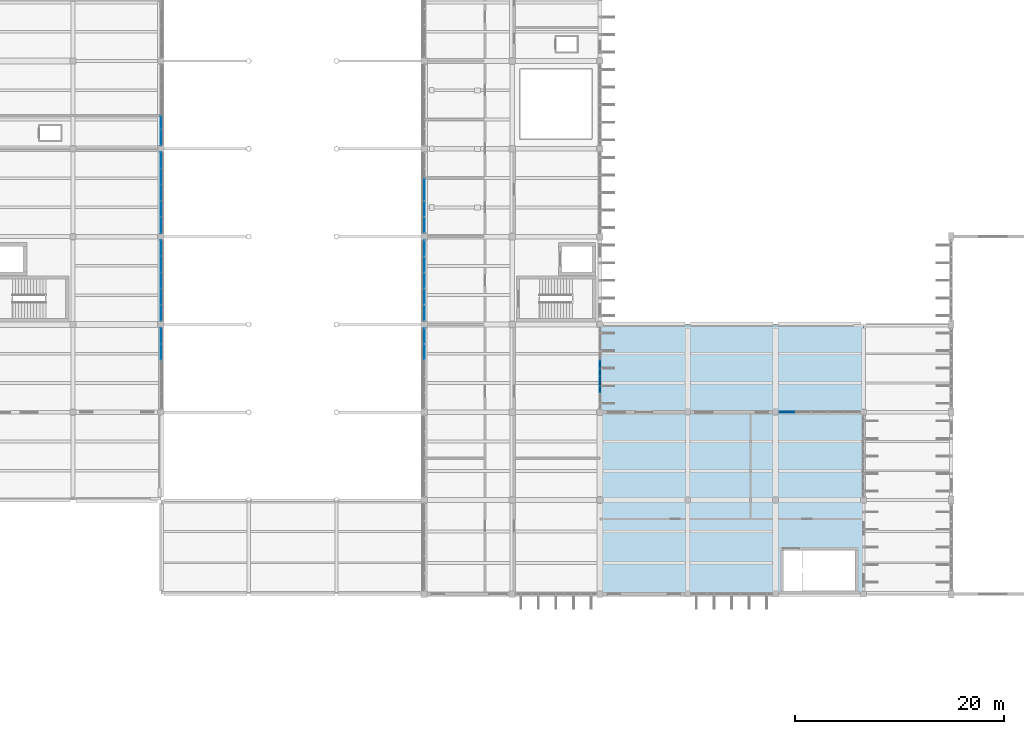
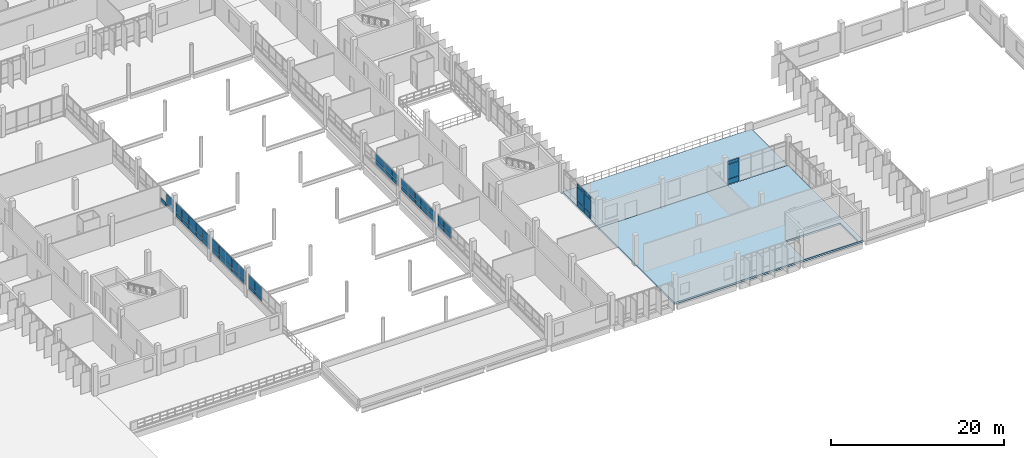
# One storey, part 97 of 130: 56 plates, 2 slabs, 1 opening, 9 elements without a shape of their own.
"""IFC4 building model written with IfcOpenShell, lengths in metres."""

from ifc_helpers import new_model, si_unit, direction, frame, origin, origin_2d, place, context, subcontext, project, spatial, polyline, rectangle, outline, extrude, material, layer, layer_set, type_object, element, aggregate, save


model = new_model("IFC4")

# Units and contexts
model_context = context("Model", 3, precision=1e-05, world=origin(), true_north=direction((0.0, 1.0)))
body_context = subcontext(model_context, "Body", "Model", "MODEL_VIEW")
ifc_project = project(units=[si_unit("LENGTHUNIT", "METRE"), si_unit("AREAUNIT", "SQUARE_METRE"), si_unit("VOLUMEUNIT", "CUBIC_METRE"), si_unit("PLANEANGLEUNIT", "RADIAN"), si_unit("MASSUNIT", "GRAM", prefix="KILO")], contexts=[model_context])

# Site, building, storey
site_placement = place(None, origin())
site = spatial("IfcSite", under=ifc_project, at=site_placement, CompositionType="ELEMENT")
building_placement = place(site_placement, origin())
building = spatial("IfcBuilding", under=site, at=building_placement, Name="Vireocrest Preparatory School", CompositionType="ELEMENT")
storey_placement = place(building_placement, frame((0.0, 0.0, 9.0)))
storey = spatial("IfcBuildingStorey", under=building, at=storey_placement, Name="L02", CompositionType="ELEMENT", Elevation=9.0)

# Curtain wall, plates
ifc_material_1 = material(Name="Thermally broken aluminium EN AW-6063-T6", Category="aluminium")
ifc_layer_1 = layer(ifc_material_1, 0.179931640625)
ifc_layer_set_1 = layer_set([ifc_layer_1], Name="Thermally broken aluminium EN AW-6063-T6")
curtain_wall_type_1 = type_object("IfcCurtainWallType", Name="Library Reading Bay Glazing 7600x4200", PredefinedType="USERDEFINED", material=ifc_layer_set_1)
curtain_wall_1_placement = place(storey_placement, origin())
curtain_wall_1 = element("IfcCurtainWall", 1, at=curtain_wall_1_placement, inside=storey, type_object=curtain_wall_type_1, Name="Curtain Wall CW16 CW_L02_CW16_1262_0354_090", ObjectType="CURTAIN WALL", PredefinedType="USERDEFINED")
ifc_material_2 = material(Name="Insulated triple low-e tempered safety glass", Category="glass")
ifc_layer_2 = layer(ifc_material_2, 0.074951171875)
ifc_layer_set_2 = layer_set([ifc_layer_2], Name="Insulated triple low-e tempered safety glass")
plate_type_1 = type_object("IfcPlateType", Name="Acoustic Triple-Glazed Lab Curtain Panel 75", PredefinedType="CURTAIN_PANEL", material=ifc_layer_set_2)
plate_1_placement = place(storey_placement, frame((127.087890625, 35.39990234375, 0.88232421875), z_axis=(0.0, 0.0, 1.0), x_axis=(1.0, 0.0, 0.0)))
plate_1 = element("IfcPlate", 2, at=plate_1_placement, type_object=plate_type_1, Name="CW Panel GL2 CW_L02_CW16_1262_0354_090-1-2", PredefinedType="CURTAIN_PANEL", context=body_context, shape_type="SweptSolid", body=[
    extrude(rectangle(XDim=1.490966796875, YDim=0.074951171875, at=origin_2d()), origin(), (0.0, 0.0, 1.0), 2.014892578125),
])
plate_2_placement = place(storey_placement, frame((127.087890625, 35.39990234375, 2.96240234375), z_axis=(0.0, 0.0, 1.0), x_axis=(1.0, 0.0, 0.0)))
plate_2 = element("IfcPlate", 3, at=plate_2_placement, type_object=plate_type_1, Name="CW Panel GL2 CW_L02_CW16_1262_0354_090-1-3", PredefinedType="CURTAIN_PANEL", context=body_context, shape_type="SweptSolid", body=[
    extrude(rectangle(XDim=1.490966796875, YDim=0.074951171875, at=origin_2d()), origin(), (0.0, 0.0, 1.0), 0.409912109375),
])

ifc_layer_3 = layer(ifc_material_1, 0.179931640625)
ifc_layer_set_3 = layer_set([ifc_layer_3], Name="Thermally broken aluminium EN AW-6063-T6")
curtain_wall_type_2 = type_object("IfcCurtainWallType", Name="Teaching Fin Curtain Wall 8400x4200", PredefinedType="USERDEFINED", material=ifc_layer_set_3)
curtain_wall_2_placement = place(storey_placement, origin())
curtain_wall_2 = element("IfcCurtainWall", 4, at=curtain_wall_2_placement, inside=storey, type_object=curtain_wall_type_2, Name="Curtain Wall CW03 CW_L02_CW03_1092_0357_090", ObjectType="CURTAIN WALL", PredefinedType="USERDEFINED")
plate_3_placement = place(storey_placement, frame((109.199951171875, 38.053955078125, 0.882568359375), z_axis=(0.0, 0.0, 1.0), x_axis=(0.0, 1.0, 0.0)))
plate_3 = element("IfcPlate", 5, at=plate_3_placement, type_object=plate_type_1, Name="CW Panel GL2 CW_L02_CW03_1092_0357_090-2-2", PredefinedType="CURTAIN_PANEL", context=body_context, shape_type="SweptSolid", body=[
    extrude(rectangle(XDim=1.48095703125, YDim=0.074951171875, at=origin_2d()), origin(), (0.0, 0.0, 1.0), 1.875),
])
plate_4_placement = place(storey_placement, frame((109.199951171875, 38.053955078125, 2.82275390625), z_axis=(0.0, 0.0, 1.0), x_axis=(0.0, 1.0, 0.0)))
plate_4 = element("IfcPlate", 6, at=plate_4_placement, type_object=plate_type_1, Name="CW Panel GL2 CW_L02_CW03_1092_0357_090-2-3", PredefinedType="CURTAIN_PANEL", context=body_context, shape_type="SweptSolid", body=[
    extrude(rectangle(XDim=1.48095703125, YDim=0.074951171875, at=origin_2d()), origin(), (0.0, 0.0, 1.0), 0.409912109375),
])
plate_5_placement = place(storey_placement, frame((109.199951171875, 39.60009765625, 0.882568359375), z_axis=(0.0, 0.0, 1.0), x_axis=(0.0, 1.0, 0.0)))
plate_5 = element("IfcPlate", 7, at=plate_5_placement, type_object=plate_type_1, Name="CW Panel GL2 CW_L02_CW03_1092_0357_090-3-2", PredefinedType="CURTAIN_PANEL", context=body_context, shape_type="SweptSolid", body=[
    extrude(rectangle(XDim=1.48095703125, YDim=0.074951171875, at=origin_2d()), origin(), (0.0, 0.0, 1.0), 1.875),
])
plate_6_placement = place(storey_placement, frame((109.199951171875, 39.60009765625, 2.82275390625), z_axis=(0.0, 0.0, 1.0), x_axis=(0.0, 1.0, 0.0)))
plate_6 = element("IfcPlate", 8, at=plate_6_placement, type_object=plate_type_1, Name="CW Panel GL2 CW_L02_CW03_1092_0357_090-3-3", PredefinedType="CURTAIN_PANEL", context=body_context, shape_type="SweptSolid", body=[
    extrude(rectangle(XDim=1.48095703125, YDim=0.074951171875, at=origin_2d()), origin(), (0.0, 0.0, 1.0), 0.409912109375),
])

# Plate
ifc_material_3 = material(Name="Painted white aluminium cladding EN AW-6063-T6", Category="aluminium")
ifc_layer_4 = layer(ifc_material_3, 0.114990234375)
ifc_layer_set_4 = layer_set([ifc_layer_4], Name="Painted white aluminium cladding EN AW-6063-T6")
plate_type_2 = type_object("IfcPlateType", Name="Insulated White Spandrel Curtain Panel 115", PredefinedType="CURTAIN_PANEL", material=ifc_layer_set_4)
plate_7_placement = place(storey_placement, frame((127.087890625, 35.39990234375, 0.12744140625), z_axis=(0.0, 0.0, 1.0), x_axis=(1.0, 0.0, 0.0)))
plate_7 = element("IfcPlate", 9, at=plate_7_placement, type_object=plate_type_2, Name="CW Panel SP2 CW_L02_CW16_1262_0354_090-1-1", PredefinedType="CURTAIN_PANEL", context=body_context, shape_type="SweptSolid", body=[
    extrude(rectangle(XDim=1.490966796875, YDim=0.114990234375, at=origin_2d()), origin(), (0.0, 0.0, 1.0), 0.68994140625),
])

aggregate(curtain_wall_1, [plate_7, plate_1, plate_2])

plate_8_placement = place(storey_placement, frame((109.199951171875, 38.053955078125, 0.12744140625), z_axis=(0.0, 0.0, 1.0), x_axis=(0.0, 1.0, 0.0)))
plate_8 = element("IfcPlate", 10, at=plate_8_placement, type_object=plate_type_2, Name="CW Panel SP2 CW_L02_CW03_1092_0357_090-2-1", PredefinedType="CURTAIN_PANEL", context=body_context, shape_type="SweptSolid", body=[
    extrude(rectangle(XDim=1.48095703125, YDim=0.114990234375, at=origin_2d()), origin(), (0.0, 0.0, 1.0), 0.68994140625),
])

plate_9_placement = place(storey_placement, frame((109.199951171875, 39.60009765625, 0.12744140625), z_axis=(0.0, 0.0, 1.0), x_axis=(0.0, 1.0, 0.0)))
plate_9 = element("IfcPlate", 11, at=plate_9_placement, type_object=plate_type_2, Name="CW Panel SP2 CW_L02_CW03_1092_0357_090-3-1", PredefinedType="CURTAIN_PANEL", context=body_context, shape_type="SweptSolid", body=[
    extrude(rectangle(XDim=1.48095703125, YDim=0.114990234375, at=origin_2d()), origin(), (0.0, 0.0, 1.0), 0.68994140625),
])

aggregate(curtain_wall_2, [plate_8, plate_3, plate_4, plate_9, plate_5, plate_6])

# Slab
ifc_material_4 = material(Name="Concrete 40 MPa", Category="concrete")
ifc_layer_5 = layer(ifc_material_4, 0.320068359375)
ifc_layer_set_5 = layer_set([ifc_layer_5], Name="Concrete 40 MPa")
slab_type_1 = type_object("IfcSlabType", Name="Outdoor Play Deck and Terrace Structural Slab 320", PredefinedType="FLOOR", material=ifc_layer_set_5)
slab_1_placement = place(storey_placement, frame((0.0, 0.0, -0.320068359375)))
element("IfcSlab", 12, at=slab_1_placement, inside=storey, type_object=slab_type_1, Name="Slab L02_EAST_TERRACE", PredefinedType="FLOOR", context=body_context, shape_type="SweptSolid", body=[
    extrude(outline(polyline([(109.199951171875, 35.39990234375), (134.39990234375, 35.39990234375), (134.39990234375, 43.800048828125), (109.199951171875, 43.800048828125), (109.199951171875, 35.39990234375)])), origin(), (0.0, 0.0, 1.0), 0.320068359375),
])

# Slab, opening
ifc_layer_6 = layer(ifc_material_4, 0.260009765625)
ifc_layer_set_6 = layer_set([ifc_layer_6], Name="Concrete 40 MPa")
slab_type_2 = type_object("IfcSlabType", Name="Science Laboratory Low-Vibration RC Slab 260", PredefinedType="FLOOR", material=ifc_layer_set_6)
slab_2_placement = place(storey_placement, frame((0.0, 0.0, -0.260009765625)))
slab_2 = element("IfcSlab", 13, at=slab_2_placement, inside=storey, type_object=slab_type_2, Name="Slab L02_EAST_STUDIO", PredefinedType="FLOOR", context=body_context, shape_type="SweptSolid", body=[
    extrude(outline(polyline([(109.199951171875, 18.0), (134.39990234375, 18.0), (134.39990234375, 35.39990234375), (109.199951171875, 35.39990234375), (109.199951171875, 18.0)])), origin(), (0.0, 0.0, 1.0), 0.260009765625),
])
opening_placement = place(slab_2_placement, frame((0.0, 0.0, -0.010009765625)))
element("IfcOpeningElement", 14, at=opening_placement, cuts=slab_2, Name="Slab Opening SLAB_L02_EAST_STUDIO-1", PredefinedType="OPENING", context=body_context, shape_type="SweptSolid", body=[
    extrude(outline(polyline([(126.60009765625, 18.14990234375), (133.800048828125, 18.14990234375), (133.800048828125, 22.35009765625), (126.60009765625, 22.35009765625), (126.60009765625, 18.14990234375)])), origin(), (0.0, 0.0, 1.0), 0.280029296875),
])

# Curtain wall, plates
ifc_layer_7 = layer(ifc_material_1, 0.179931640625)
ifc_layer_set_7 = layer_set([ifc_layer_7], Name="Thermally broken aluminium EN AW-6063-T6")
curtain_wall_type_3 = type_object("IfcCurtainWallType", Name="Court Banded Curtain Wall 8400x3000", PredefinedType="USERDEFINED", material=ifc_layer_set_7)
curtain_wall_3_placement = place(storey_placement, origin())
curtain_wall_3 = element("IfcCurtainWall", 15, at=curtain_wall_3_placement, inside=storey, type_object=curtain_wall_type_3, Name="Curtain Wall CW02 CW_L02_CW02_0924_0357_102", ObjectType="CURTAIN WALL", PredefinedType="USERDEFINED")
ifc_layer_8 = layer(ifc_material_2, 0.06005859375)
ifc_layer_set_8 = layer_set([ifc_layer_8], Name="Insulated triple low-e tempered safety glass")
plate_type_3 = type_object("IfcPlateType", Name="Triple-Glazed Vision Curtain Panel 60", PredefinedType="CURTAIN_PANEL", material=ifc_layer_set_8)
plate_10_placement = place(storey_placement, frame((92.39990234375, 41.14599609375, 1.277587890625), z_axis=(0.0, 0.0, 1.0), x_axis=(0.0, 1.0, 0.0)))
plate_10 = element("IfcPlate", 16, at=plate_10_placement, type_object=plate_type_3, Name="CW Panel GL1 CW_L02_CW02_0924_0357_102-4-1", PredefinedType="CURTAIN_PANEL", context=body_context, shape_type="SweptSolid", body=[
    extrude(rectangle(XDim=1.48095703125, YDim=0.06005859375, at=origin_2d()), origin(), (0.0, 0.0, 1.0), 0.5400390625),
])
plate_11_placement = place(storey_placement, frame((92.39990234375, 41.14599609375, 1.882568359375), z_axis=(0.0, 0.0, 1.0), x_axis=(0.0, 1.0, 0.0)))
plate_11 = element("IfcPlate", 17, at=plate_11_placement, type_object=plate_type_3, Name="CW Panel GL1 CW_L02_CW02_0924_0357_102-4-2", PredefinedType="CURTAIN_PANEL", context=body_context, shape_type="SweptSolid", body=[
    extrude(rectangle(XDim=1.48095703125, YDim=0.06005859375, at=origin_2d()), origin(), (0.0, 0.0, 1.0), 1.0),
])
plate_12_placement = place(storey_placement, frame((92.39990234375, 42.69189453125, 1.277587890625), z_axis=(0.0, 0.0, 1.0), x_axis=(0.0, 1.0, 0.0)))
plate_12 = element("IfcPlate", 18, at=plate_12_placement, type_object=plate_type_3, Name="CW Panel GL1 CW_L02_CW02_0924_0357_102-5-1", PredefinedType="CURTAIN_PANEL", context=body_context, shape_type="SweptSolid", body=[
    extrude(rectangle(XDim=1.48095703125, YDim=0.06005859375, at=origin_2d()), origin(), (0.0, 0.0, 1.0), 0.5400390625),
])
plate_13_placement = place(storey_placement, frame((92.39990234375, 42.69189453125, 1.882568359375), z_axis=(0.0, 0.0, 1.0), x_axis=(0.0, 1.0, 0.0)))
plate_13 = element("IfcPlate", 19, at=plate_13_placement, type_object=plate_type_3, Name="CW Panel GL1 CW_L02_CW02_0924_0357_102-5-2", PredefinedType="CURTAIN_PANEL", context=body_context, shape_type="SweptSolid", body=[
    extrude(rectangle(XDim=1.48095703125, YDim=0.06005859375, at=origin_2d()), origin(), (0.0, 0.0, 1.0), 1.0),
])
aggregate(curtain_wall_3, [plate_10, plate_11, plate_12, plate_13])

curtain_wall_4_placement = place(storey_placement, origin())
curtain_wall_4 = element("IfcCurtainWall", 20, at=curtain_wall_4_placement, inside=storey, type_object=curtain_wall_type_3, Name="Curtain Wall CW02 CW_L02_CW02_0924_0441_102", ObjectType="CURTAIN WALL", PredefinedType="USERDEFINED")
plate_14_placement = place(storey_placement, frame((92.39990234375, 44.907958984375, 1.277587890625), z_axis=(0.0, 0.0, 1.0), x_axis=(0.0, 1.0, 0.0)))
plate_14 = element("IfcPlate", 21, at=plate_14_placement, type_object=plate_type_3, Name="CW Panel GL1 CW_L02_CW02_0924_0441_102-1-1", PredefinedType="CURTAIN_PANEL", context=body_context, shape_type="SweptSolid", body=[
    extrude(rectangle(XDim=1.48095703125, YDim=0.06005859375, at=origin_2d()), origin(), (0.0, 0.0, 1.0), 0.5400390625),
])
plate_15_placement = place(storey_placement, frame((92.39990234375, 44.907958984375, 1.88232421875), z_axis=(0.0, 0.0, 1.0), x_axis=(0.0, 1.0, 0.0)))
plate_15 = element("IfcPlate", 22, at=plate_15_placement, type_object=plate_type_3, Name="CW Panel GL1 CW_L02_CW02_0924_0441_102-1-2", PredefinedType="CURTAIN_PANEL", context=body_context, shape_type="SweptSolid", body=[
    extrude(rectangle(XDim=1.48095703125, YDim=0.06005859375, at=origin_2d()), origin(), (0.0, 0.0, 1.0), 0.949951171875),
])
plate_16_placement = place(storey_placement, frame((92.39990234375, 46.4541015625, 1.277587890625), z_axis=(0.0, 0.0, 1.0), x_axis=(0.0, 1.0, 0.0)))
plate_16 = element("IfcPlate", 23, at=plate_16_placement, type_object=plate_type_3, Name="CW Panel GL1 CW_L02_CW02_0924_0441_102-2-1", PredefinedType="CURTAIN_PANEL", context=body_context, shape_type="SweptSolid", body=[
    extrude(rectangle(XDim=1.48095703125, YDim=0.06005859375, at=origin_2d()), origin(), (0.0, 0.0, 1.0), 0.5400390625),
])
plate_17_placement = place(storey_placement, frame((92.39990234375, 46.4541015625, 1.88232421875), z_axis=(0.0, 0.0, 1.0), x_axis=(0.0, 1.0, 0.0)))
plate_17 = element("IfcPlate", 24, at=plate_17_placement, type_object=plate_type_3, Name="CW Panel GL1 CW_L02_CW02_0924_0441_102-2-2", PredefinedType="CURTAIN_PANEL", context=body_context, shape_type="SweptSolid", body=[
    extrude(rectangle(XDim=1.48095703125, YDim=0.06005859375, at=origin_2d()), origin(), (0.0, 0.0, 1.0), 0.949951171875),
])
plate_18_placement = place(storey_placement, frame((92.39990234375, 48.0, 1.277587890625), z_axis=(0.0, 0.0, 1.0), x_axis=(0.0, 1.0, 0.0)))
plate_18 = element("IfcPlate", 25, at=plate_18_placement, type_object=plate_type_3, Name="CW Panel GL1 CW_L02_CW02_0924_0441_102-3-1", PredefinedType="CURTAIN_PANEL", context=body_context, shape_type="SweptSolid", body=[
    extrude(rectangle(XDim=1.48095703125, YDim=0.06005859375, at=origin_2d()), origin(), (0.0, 0.0, 1.0), 0.5400390625),
])
plate_19_placement = place(storey_placement, frame((92.39990234375, 48.0, 1.88232421875), z_axis=(0.0, 0.0, 1.0), x_axis=(0.0, 1.0, 0.0)))
plate_19 = element("IfcPlate", 26, at=plate_19_placement, type_object=plate_type_3, Name="CW Panel GL1 CW_L02_CW02_0924_0441_102-3-2", PredefinedType="CURTAIN_PANEL", context=body_context, shape_type="SweptSolid", body=[
    extrude(rectangle(XDim=1.48095703125, YDim=0.06005859375, at=origin_2d()), origin(), (0.0, 0.0, 1.0), 0.949951171875),
])
plate_20_placement = place(storey_placement, frame((92.39990234375, 49.5458984375, 1.277587890625), z_axis=(0.0, 0.0, 1.0), x_axis=(0.0, 1.0, 0.0)))
plate_20 = element("IfcPlate", 27, at=plate_20_placement, type_object=plate_type_3, Name="CW Panel GL1 CW_L02_CW02_0924_0441_102-4-1", PredefinedType="CURTAIN_PANEL", context=body_context, shape_type="SweptSolid", body=[
    extrude(rectangle(XDim=1.48095703125, YDim=0.06005859375, at=origin_2d()), origin(), (0.0, 0.0, 1.0), 0.5400390625),
])
plate_21_placement = place(storey_placement, frame((92.39990234375, 49.5458984375, 1.88232421875), z_axis=(0.0, 0.0, 1.0), x_axis=(0.0, 1.0, 0.0)))
plate_21 = element("IfcPlate", 28, at=plate_21_placement, type_object=plate_type_3, Name="CW Panel GL1 CW_L02_CW02_0924_0441_102-4-2", PredefinedType="CURTAIN_PANEL", context=body_context, shape_type="SweptSolid", body=[
    extrude(rectangle(XDim=1.48095703125, YDim=0.06005859375, at=origin_2d()), origin(), (0.0, 0.0, 1.0), 0.949951171875),
])
plate_22_placement = place(storey_placement, frame((92.39990234375, 51.092041015625, 1.277587890625), z_axis=(0.0, 0.0, 1.0), x_axis=(0.0, 1.0, 0.0)))
plate_22 = element("IfcPlate", 29, at=plate_22_placement, type_object=plate_type_3, Name="CW Panel GL1 CW_L02_CW02_0924_0441_102-5-1", PredefinedType="CURTAIN_PANEL", context=body_context, shape_type="SweptSolid", body=[
    extrude(rectangle(XDim=1.48095703125, YDim=0.06005859375, at=origin_2d()), origin(), (0.0, 0.0, 1.0), 0.5400390625),
])
plate_23_placement = place(storey_placement, frame((92.39990234375, 51.092041015625, 1.88232421875), z_axis=(0.0, 0.0, 1.0), x_axis=(0.0, 1.0, 0.0)))
plate_23 = element("IfcPlate", 30, at=plate_23_placement, type_object=plate_type_3, Name="CW Panel GL1 CW_L02_CW02_0924_0441_102-5-2", PredefinedType="CURTAIN_PANEL", context=body_context, shape_type="SweptSolid", body=[
    extrude(rectangle(XDim=1.48095703125, YDim=0.06005859375, at=origin_2d()), origin(), (0.0, 0.0, 1.0), 0.949951171875),
])
aggregate(curtain_wall_4, [plate_14, plate_15, plate_16, plate_17, plate_18, plate_19, plate_20, plate_21, plate_22, plate_23])

curtain_wall_5_placement = place(storey_placement, origin())
curtain_wall_5 = element("IfcCurtainWall", 31, at=curtain_wall_5_placement, inside=storey, type_object=curtain_wall_type_3, Name="Curtain Wall CW02 CW_L02_CW02_0924_0525_102", ObjectType="CURTAIN WALL", PredefinedType="USERDEFINED")
plate_24_placement = place(storey_placement, frame((92.39990234375, 53.30810546875, 1.277587890625), z_axis=(0.0, 0.0, 1.0), x_axis=(0.0, 1.0, 0.0)))
plate_24 = element("IfcPlate", 32, at=plate_24_placement, type_object=plate_type_3, Name="CW Panel GL1 CW_L02_CW02_0924_0525_102-1-1", PredefinedType="CURTAIN_PANEL", context=body_context, shape_type="SweptSolid", body=[
    extrude(rectangle(XDim=1.48095703125, YDim=0.06005859375, at=origin_2d()), origin(), (0.0, 0.0, 1.0), 0.5400390625),
])
plate_25_placement = place(storey_placement, frame((92.39990234375, 53.30810546875, 1.882568359375), z_axis=(0.0, 0.0, 1.0), x_axis=(0.0, 1.0, 0.0)))
plate_25 = element("IfcPlate", 33, at=plate_25_placement, type_object=plate_type_3, Name="CW Panel GL1 CW_L02_CW02_0924_0525_102-1-2", PredefinedType="CURTAIN_PANEL", context=body_context, shape_type="SweptSolid", body=[
    extrude(rectangle(XDim=1.48095703125, YDim=0.06005859375, at=origin_2d()), origin(), (0.0, 0.0, 1.0), 0.89990234375),
])
plate_26_placement = place(storey_placement, frame((92.39990234375, 54.85400390625, 1.277587890625), z_axis=(0.0, 0.0, 1.0), x_axis=(0.0, 1.0, 0.0)))
plate_26 = element("IfcPlate", 34, at=plate_26_placement, type_object=plate_type_3, Name="CW Panel GL1 CW_L02_CW02_0924_0525_102-2-1", PredefinedType="CURTAIN_PANEL", context=body_context, shape_type="SweptSolid", body=[
    extrude(rectangle(XDim=1.48095703125, YDim=0.06005859375, at=origin_2d()), origin(), (0.0, 0.0, 1.0), 0.5400390625),
])
plate_27_placement = place(storey_placement, frame((92.39990234375, 54.85400390625, 1.882568359375), z_axis=(0.0, 0.0, 1.0), x_axis=(0.0, 1.0, 0.0)))
plate_27 = element("IfcPlate", 35, at=plate_27_placement, type_object=plate_type_3, Name="CW Panel GL1 CW_L02_CW02_0924_0525_102-2-2", PredefinedType="CURTAIN_PANEL", context=body_context, shape_type="SweptSolid", body=[
    extrude(rectangle(XDim=1.48095703125, YDim=0.06005859375, at=origin_2d()), origin(), (0.0, 0.0, 1.0), 0.89990234375),
])
plate_28_placement = place(storey_placement, frame((92.39990234375, 56.71337890625, 1.277587890625), z_axis=(0.0, 0.0, 1.0), x_axis=(0.0, 1.0, 0.0)))
plate_28 = element("IfcPlate", 36, at=plate_28_placement, type_object=plate_type_3, Name="CW Panel GL1 CW_L02_CW02_0924_0525_102-3-1", PredefinedType="CURTAIN_PANEL", context=body_context, shape_type="SweptSolid", body=[
    extrude(rectangle(XDim=2.10791015625, YDim=0.06005859375, at=origin_2d()), origin(), (0.0, 0.0, 1.0), 0.5400390625),
])
plate_29_placement = place(storey_placement, frame((92.39990234375, 56.71337890625, 1.882568359375), z_axis=(0.0, 0.0, 1.0), x_axis=(0.0, 1.0, 0.0)))
plate_29 = element("IfcPlate", 37, at=plate_29_placement, type_object=plate_type_3, Name="CW Panel GL1 CW_L02_CW02_0924_0525_102-3-2", PredefinedType="CURTAIN_PANEL", context=body_context, shape_type="SweptSolid", body=[
    extrude(rectangle(XDim=2.10791015625, YDim=0.06005859375, at=origin_2d()), origin(), (0.0, 0.0, 1.0), 0.89990234375),
])
aggregate(curtain_wall_5, [plate_24, plate_25, plate_26, plate_27, plate_28, plate_29])

curtain_wall_6_placement = place(storey_placement, origin())
curtain_wall_6 = element("IfcCurtainWall", 38, at=curtain_wall_6_placement, inside=storey, type_object=curtain_wall_type_3, Name="Curtain Wall CW02 CW_L02_CW02_0672_0356_102", ObjectType="CURTAIN WALL", PredefinedType="USERDEFINED")
plate_30_placement = place(storey_placement, frame((67.199951171875, 41.156005859375, 1.277587890625), z_axis=(0.0, 0.0, 1.0), x_axis=(0.0, 1.0, 0.0)))
plate_30 = element("IfcPlate", 39, at=plate_30_placement, type_object=plate_type_3, Name="CW Panel GL1 CW_L02_CW02_0672_0356_102-4-1", PredefinedType="CURTAIN_PANEL", context=body_context, shape_type="SweptSolid", body=[
    extrude(rectangle(XDim=1.490966796875, YDim=0.06005859375, at=origin_2d()), origin(), (0.0, 0.0, 1.0), 0.5400390625),
])
plate_31_placement = place(storey_placement, frame((67.199951171875, 41.156005859375, 1.88232421875), z_axis=(0.0, 0.0, 1.0), x_axis=(0.0, 1.0, 0.0)))
plate_31 = element("IfcPlate", 40, at=plate_31_placement, type_object=plate_type_3, Name="CW Panel GL1 CW_L02_CW02_0672_0356_102-4-2", PredefinedType="CURTAIN_PANEL", context=body_context, shape_type="SweptSolid", body=[
    extrude(rectangle(XDim=1.490966796875, YDim=0.06005859375, at=origin_2d()), origin(), (0.0, 0.0, 1.0), 1.3701171875),
])
plate_32_placement = place(storey_placement, frame((67.199951171875, 42.7119140625, 1.277587890625), z_axis=(0.0, 0.0, 1.0), x_axis=(0.0, 1.0, 0.0)))
plate_32 = element("IfcPlate", 41, at=plate_32_placement, type_object=plate_type_3, Name="CW Panel GL1 CW_L02_CW02_0672_0356_102-5-1", PredefinedType="CURTAIN_PANEL", context=body_context, shape_type="SweptSolid", body=[
    extrude(rectangle(XDim=1.490966796875, YDim=0.06005859375, at=origin_2d()), origin(), (0.0, 0.0, 1.0), 0.5400390625),
])
plate_33_placement = place(storey_placement, frame((67.199951171875, 42.7119140625, 1.88232421875), z_axis=(0.0, 0.0, 1.0), x_axis=(0.0, 1.0, 0.0)))
plate_33 = element("IfcPlate", 42, at=plate_33_placement, type_object=plate_type_3, Name="CW Panel GL1 CW_L02_CW02_0672_0356_102-5-2", PredefinedType="CURTAIN_PANEL", context=body_context, shape_type="SweptSolid", body=[
    extrude(rectangle(XDim=1.490966796875, YDim=0.06005859375, at=origin_2d()), origin(), (0.0, 0.0, 1.0), 1.3701171875),
])
aggregate(curtain_wall_6, [plate_30, plate_31, plate_32, plate_33])

curtain_wall_7_placement = place(storey_placement, origin())
curtain_wall_7 = element("IfcCurtainWall", 43, at=curtain_wall_7_placement, inside=storey, type_object=curtain_wall_type_3, Name="Curtain Wall CW02 CW_L02_CW02_0672_0440_102", ObjectType="CURTAIN WALL", PredefinedType="USERDEFINED")
plate_34_placement = place(storey_placement, frame((67.199951171875, 44.887939453125, 1.277587890625), z_axis=(0.0, 0.0, 1.0), x_axis=(0.0, 1.0, 0.0)))
plate_34 = element("IfcPlate", 44, at=plate_34_placement, type_object=plate_type_3, Name="CW Panel GL1 CW_L02_CW02_0672_0440_102-1-1", PredefinedType="CURTAIN_PANEL", context=body_context, shape_type="SweptSolid", body=[
    extrude(rectangle(XDim=1.490966796875, YDim=0.06005859375, at=origin_2d()), origin(), (0.0, 0.0, 1.0), 0.5400390625),
])
plate_35_placement = place(storey_placement, frame((67.199951171875, 44.887939453125, 1.88232421875), z_axis=(0.0, 0.0, 1.0), x_axis=(0.0, 1.0, 0.0)))
plate_35 = element("IfcPlate", 45, at=plate_35_placement, type_object=plate_type_3, Name="CW Panel GL1 CW_L02_CW02_0672_0440_102-1-2", PredefinedType="CURTAIN_PANEL", context=body_context, shape_type="SweptSolid", body=[
    extrude(rectangle(XDim=1.490966796875, YDim=0.06005859375, at=origin_2d()), origin(), (0.0, 0.0, 1.0), 1.3701171875),
])
plate_36_placement = place(storey_placement, frame((67.199951171875, 46.444091796875, 1.277587890625), z_axis=(0.0, 0.0, 1.0), x_axis=(0.0, 1.0, 0.0)))
plate_36 = element("IfcPlate", 46, at=plate_36_placement, type_object=plate_type_3, Name="CW Panel GL1 CW_L02_CW02_0672_0440_102-2-1", PredefinedType="CURTAIN_PANEL", context=body_context, shape_type="SweptSolid", body=[
    extrude(rectangle(XDim=1.490966796875, YDim=0.06005859375, at=origin_2d()), origin(), (0.0, 0.0, 1.0), 0.5400390625),
])
plate_37_placement = place(storey_placement, frame((67.199951171875, 46.444091796875, 1.88232421875), z_axis=(0.0, 0.0, 1.0), x_axis=(0.0, 1.0, 0.0)))
plate_37 = element("IfcPlate", 47, at=plate_37_placement, type_object=plate_type_3, Name="CW Panel GL1 CW_L02_CW02_0672_0440_102-2-2", PredefinedType="CURTAIN_PANEL", context=body_context, shape_type="SweptSolid", body=[
    extrude(rectangle(XDim=1.490966796875, YDim=0.06005859375, at=origin_2d()), origin(), (0.0, 0.0, 1.0), 1.3701171875),
])
plate_38_placement = place(storey_placement, frame((67.199951171875, 48.0, 1.277587890625), z_axis=(0.0, 0.0, 1.0), x_axis=(0.0, 1.0, 0.0)))
plate_38 = element("IfcPlate", 48, at=plate_38_placement, type_object=plate_type_3, Name="CW Panel GL1 CW_L02_CW02_0672_0440_102-3-1", PredefinedType="CURTAIN_PANEL", context=body_context, shape_type="SweptSolid", body=[
    extrude(rectangle(XDim=1.490966796875, YDim=0.06005859375, at=origin_2d()), origin(), (0.0, 0.0, 1.0), 0.5400390625),
])
plate_39_placement = place(storey_placement, frame((67.199951171875, 48.0, 1.88232421875), z_axis=(0.0, 0.0, 1.0), x_axis=(0.0, 1.0, 0.0)))
plate_39 = element("IfcPlate", 49, at=plate_39_placement, type_object=plate_type_3, Name="CW Panel GL1 CW_L02_CW02_0672_0440_102-3-2", PredefinedType="CURTAIN_PANEL", context=body_context, shape_type="SweptSolid", body=[
    extrude(rectangle(XDim=1.490966796875, YDim=0.06005859375, at=origin_2d()), origin(), (0.0, 0.0, 1.0), 1.3701171875),
])
plate_40_placement = place(storey_placement, frame((67.199951171875, 49.555908203125, 1.277587890625), z_axis=(0.0, 0.0, 1.0), x_axis=(0.0, 1.0, 0.0)))
plate_40 = element("IfcPlate", 50, at=plate_40_placement, type_object=plate_type_3, Name="CW Panel GL1 CW_L02_CW02_0672_0440_102-4-1", PredefinedType="CURTAIN_PANEL", context=body_context, shape_type="SweptSolid", body=[
    extrude(rectangle(XDim=1.490966796875, YDim=0.06005859375, at=origin_2d()), origin(), (0.0, 0.0, 1.0), 0.5400390625),
])
plate_41_placement = place(storey_placement, frame((67.199951171875, 49.555908203125, 1.88232421875), z_axis=(0.0, 0.0, 1.0), x_axis=(0.0, 1.0, 0.0)))
plate_41 = element("IfcPlate", 51, at=plate_41_placement, type_object=plate_type_3, Name="CW Panel GL1 CW_L02_CW02_0672_0440_102-4-2", PredefinedType="CURTAIN_PANEL", context=body_context, shape_type="SweptSolid", body=[
    extrude(rectangle(XDim=1.490966796875, YDim=0.06005859375, at=origin_2d()), origin(), (0.0, 0.0, 1.0), 1.3701171875),
])
plate_42_placement = place(storey_placement, frame((67.199951171875, 51.112060546875, 1.277587890625), z_axis=(0.0, 0.0, 1.0), x_axis=(0.0, 1.0, 0.0)))
plate_42 = element("IfcPlate", 52, at=plate_42_placement, type_object=plate_type_3, Name="CW Panel GL1 CW_L02_CW02_0672_0440_102-5-1", PredefinedType="CURTAIN_PANEL", context=body_context, shape_type="SweptSolid", body=[
    extrude(rectangle(XDim=1.490966796875, YDim=0.06005859375, at=origin_2d()), origin(), (0.0, 0.0, 1.0), 0.5400390625),
])
plate_43_placement = place(storey_placement, frame((67.199951171875, 51.112060546875, 1.88232421875), z_axis=(0.0, 0.0, 1.0), x_axis=(0.0, 1.0, 0.0)))
plate_43 = element("IfcPlate", 53, at=plate_43_placement, type_object=plate_type_3, Name="CW Panel GL1 CW_L02_CW02_0672_0440_102-5-2", PredefinedType="CURTAIN_PANEL", context=body_context, shape_type="SweptSolid", body=[
    extrude(rectangle(XDim=1.490966796875, YDim=0.06005859375, at=origin_2d()), origin(), (0.0, 0.0, 1.0), 1.3701171875),
])
aggregate(curtain_wall_7, [plate_34, plate_35, plate_36, plate_37, plate_38, plate_39, plate_40, plate_41, plate_42, plate_43])

curtain_wall_8_placement = place(storey_placement, origin())
curtain_wall_8 = element("IfcCurtainWall", 54, at=curtain_wall_8_placement, inside=storey, type_object=curtain_wall_type_3, Name="Curtain Wall CW02 CW_L02_CW02_0672_0524_102", ObjectType="CURTAIN WALL", PredefinedType="USERDEFINED")
plate_44_placement = place(storey_placement, frame((67.199951171875, 53.2880859375, 1.277587890625), z_axis=(0.0, 0.0, 1.0), x_axis=(0.0, 1.0, 0.0)))
plate_44 = element("IfcPlate", 55, at=plate_44_placement, type_object=plate_type_3, Name="CW Panel GL1 CW_L02_CW02_0672_0524_102-1-1", PredefinedType="CURTAIN_PANEL", context=body_context, shape_type="SweptSolid", body=[
    extrude(rectangle(XDim=1.490966796875, YDim=0.06005859375, at=origin_2d()), origin(), (0.0, 0.0, 1.0), 0.5400390625),
])
plate_45_placement = place(storey_placement, frame((67.199951171875, 53.2880859375, 1.88232421875), z_axis=(0.0, 0.0, 1.0), x_axis=(0.0, 1.0, 0.0)))
plate_45 = element("IfcPlate", 56, at=plate_45_placement, type_object=plate_type_3, Name="CW Panel GL1 CW_L02_CW02_0672_0524_102-1-2", PredefinedType="CURTAIN_PANEL", context=body_context, shape_type="SweptSolid", body=[
    extrude(rectangle(XDim=1.490966796875, YDim=0.06005859375, at=origin_2d()), origin(), (0.0, 0.0, 1.0), 1.320068359375),
])
plate_46_placement = place(storey_placement, frame((67.199951171875, 54.843994140625, 1.277587890625), z_axis=(0.0, 0.0, 1.0), x_axis=(0.0, 1.0, 0.0)))
plate_46 = element("IfcPlate", 57, at=plate_46_placement, type_object=plate_type_3, Name="CW Panel GL1 CW_L02_CW02_0672_0524_102-2-1", PredefinedType="CURTAIN_PANEL", context=body_context, shape_type="SweptSolid", body=[
    extrude(rectangle(XDim=1.490966796875, YDim=0.06005859375, at=origin_2d()), origin(), (0.0, 0.0, 1.0), 0.5400390625),
])
plate_47_placement = place(storey_placement, frame((67.199951171875, 54.843994140625, 1.88232421875), z_axis=(0.0, 0.0, 1.0), x_axis=(0.0, 1.0, 0.0)))
plate_47 = element("IfcPlate", 58, at=plate_47_placement, type_object=plate_type_3, Name="CW Panel GL1 CW_L02_CW02_0672_0524_102-2-2", PredefinedType="CURTAIN_PANEL", context=body_context, shape_type="SweptSolid", body=[
    extrude(rectangle(XDim=1.490966796875, YDim=0.06005859375, at=origin_2d()), origin(), (0.0, 0.0, 1.0), 1.320068359375),
])
plate_48_placement = place(storey_placement, frame((67.199951171875, 56.39990234375, 1.277587890625), z_axis=(0.0, 0.0, 1.0), x_axis=(0.0, 1.0, 0.0)))
plate_48 = element("IfcPlate", 59, at=plate_48_placement, type_object=plate_type_3, Name="CW Panel GL1 CW_L02_CW02_0672_0524_102-3-1", PredefinedType="CURTAIN_PANEL", context=body_context, shape_type="SweptSolid", body=[
    extrude(rectangle(XDim=1.490966796875, YDim=0.06005859375, at=origin_2d()), origin(), (0.0, 0.0, 1.0), 0.5400390625),
])
plate_49_placement = place(storey_placement, frame((67.199951171875, 56.39990234375, 1.88232421875), z_axis=(0.0, 0.0, 1.0), x_axis=(0.0, 1.0, 0.0)))
plate_49 = element("IfcPlate", 60, at=plate_49_placement, type_object=plate_type_3, Name="CW Panel GL1 CW_L02_CW02_0672_0524_102-3-2", PredefinedType="CURTAIN_PANEL", context=body_context, shape_type="SweptSolid", body=[
    extrude(rectangle(XDim=1.490966796875, YDim=0.06005859375, at=origin_2d()), origin(), (0.0, 0.0, 1.0), 1.320068359375),
])
plate_50_placement = place(storey_placement, frame((67.199951171875, 57.9560546875, 1.277587890625), z_axis=(0.0, 0.0, 1.0), x_axis=(0.0, 1.0, 0.0)))
plate_50 = element("IfcPlate", 61, at=plate_50_placement, type_object=plate_type_3, Name="CW Panel GL1 CW_L02_CW02_0672_0524_102-4-1", PredefinedType="CURTAIN_PANEL", context=body_context, shape_type="SweptSolid", body=[
    extrude(rectangle(XDim=1.490966796875, YDim=0.06005859375, at=origin_2d()), origin(), (0.0, 0.0, 1.0), 0.5400390625),
])
plate_51_placement = place(storey_placement, frame((67.199951171875, 57.9560546875, 1.88232421875), z_axis=(0.0, 0.0, 1.0), x_axis=(0.0, 1.0, 0.0)))
plate_51 = element("IfcPlate", 62, at=plate_51_placement, type_object=plate_type_3, Name="CW Panel GL1 CW_L02_CW02_0672_0524_102-4-2", PredefinedType="CURTAIN_PANEL", context=body_context, shape_type="SweptSolid", body=[
    extrude(rectangle(XDim=1.490966796875, YDim=0.06005859375, at=origin_2d()), origin(), (0.0, 0.0, 1.0), 1.320068359375),
])
plate_52_placement = place(storey_placement, frame((67.199951171875, 59.511962890625, 1.277587890625), z_axis=(0.0, 0.0, 1.0), x_axis=(0.0, 1.0, 0.0)))
plate_52 = element("IfcPlate", 63, at=plate_52_placement, type_object=plate_type_3, Name="CW Panel GL1 CW_L02_CW02_0672_0524_102-5-1", PredefinedType="CURTAIN_PANEL", context=body_context, shape_type="SweptSolid", body=[
    extrude(rectangle(XDim=1.490966796875, YDim=0.06005859375, at=origin_2d()), origin(), (0.0, 0.0, 1.0), 0.5400390625),
])
plate_53_placement = place(storey_placement, frame((67.199951171875, 59.511962890625, 1.88232421875), z_axis=(0.0, 0.0, 1.0), x_axis=(0.0, 1.0, 0.0)))
plate_53 = element("IfcPlate", 64, at=plate_53_placement, type_object=plate_type_3, Name="CW Panel GL1 CW_L02_CW02_0672_0524_102-5-2", PredefinedType="CURTAIN_PANEL", context=body_context, shape_type="SweptSolid", body=[
    extrude(rectangle(XDim=1.490966796875, YDim=0.06005859375, at=origin_2d()), origin(), (0.0, 0.0, 1.0), 1.320068359375),
])
aggregate(curtain_wall_8, [plate_44, plate_45, plate_46, plate_47, plate_48, plate_49, plate_50, plate_51, plate_52, plate_53])

curtain_wall_9_placement = place(storey_placement, origin())
curtain_wall_9 = element("IfcCurtainWall", 65, at=curtain_wall_9_placement, inside=storey, type_object=curtain_wall_type_3, Name="Curtain Wall CW02 CW_L02_CW02_0672_0608_102", ObjectType="CURTAIN WALL", PredefinedType="USERDEFINED")
plate_54_placement = place(storey_placement, frame((67.199951171875, 61.68798828125, 1.277587890625), z_axis=(0.0, 0.0, 1.0), x_axis=(0.0, 1.0, 0.0)))
plate_54 = element("IfcPlate", 66, at=plate_54_placement, type_object=plate_type_3, Name="CW Panel GL1 CW_L02_CW02_0672_0608_102-1-1", PredefinedType="CURTAIN_PANEL", context=body_context, shape_type="SweptSolid", body=[
    extrude(rectangle(XDim=1.490966796875, YDim=0.06005859375, at=origin_2d()), origin(), (0.0, 0.0, 1.0), 0.5400390625),
])
plate_55_placement = place(storey_placement, frame((67.199951171875, 61.68798828125, 1.882568359375), z_axis=(0.0, 0.0, 1.0), x_axis=(0.0, 1.0, 0.0)))
plate_55 = element("IfcPlate", 67, at=plate_55_placement, type_object=plate_type_3, Name="CW Panel GL1 CW_L02_CW02_0672_0608_102-1-2", PredefinedType="CURTAIN_PANEL", context=body_context, shape_type="SweptSolid", body=[
    extrude(rectangle(XDim=1.490966796875, YDim=0.06005859375, at=origin_2d()), origin(), (0.0, 0.0, 1.0), 1.27001953125),
])
plate_56_placement = place(storey_placement, frame((67.199951171875, 63.133056640625, 1.277587890625), z_axis=(0.0, 0.0, 1.0), x_axis=(0.0, 1.0, 0.0)))
plate_56 = element("IfcPlate", 68, at=plate_56_placement, type_object=plate_type_3, Name="CW Panel GL1 CW_L02_CW02_0672_0608_102-2-1", PredefinedType="CURTAIN_PANEL", context=body_context, shape_type="SweptSolid", body=[
    extrude(rectangle(XDim=1.26904296875, YDim=0.06005859375, at=origin_2d()), origin(), (0.0, 0.0, 1.0), 0.5400390625),
])
aggregate(curtain_wall_9, [plate_54, plate_55, plate_56])

save(model, "model.ifc")
